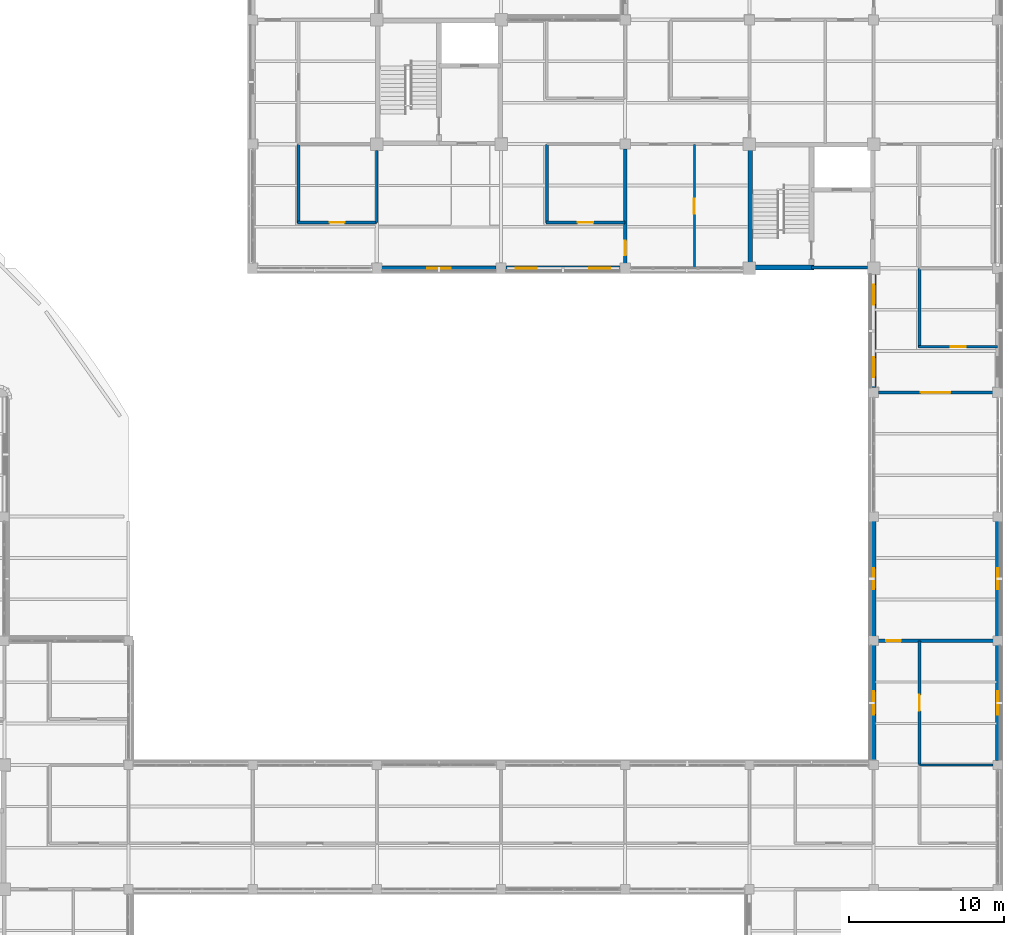
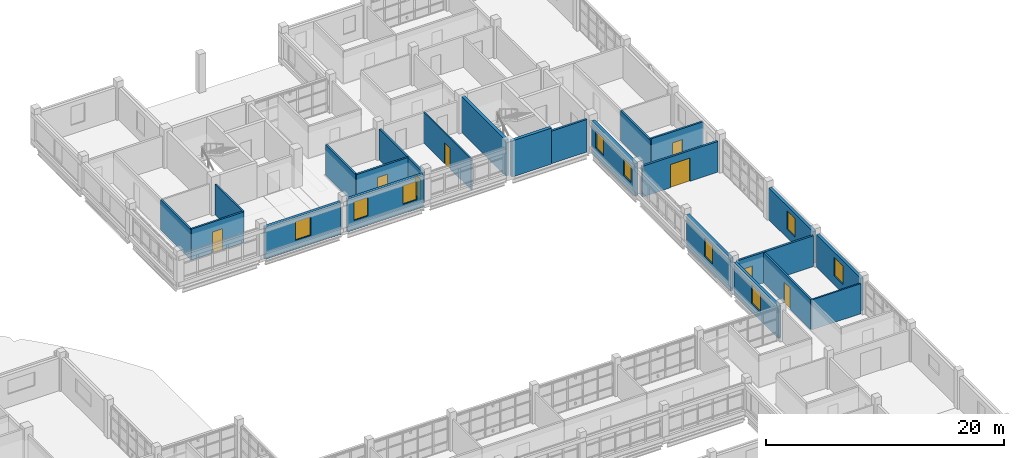
# One storey, part 102 of 126: 23 walls, 9 windows, 8 doors, 17 openings.
"""IFC4 building model written with IfcOpenShell, lengths in metres."""

from ifc_helpers import new_model, si_unit, derived_unit, direction, frame, frame_2d, origin, place, context, subcontext, project, spatial, rectangle, extrude, material, layer, layer_set, type_object, element, fill, save


model = new_model("IFC4")

# Units and contexts
model_context = context("Model", 3, precision=1e-05, world=origin(), true_north=direction((0.0, 1.0)))
body_context = subcontext(model_context, "Body", "Model", "MODEL_VIEW")
ifc_project = project(units=[si_unit("LENGTHUNIT", "METRE"), si_unit("AREAUNIT", "SQUARE_METRE"), si_unit("VOLUMEUNIT", "CUBIC_METRE"), si_unit("PLANEANGLEUNIT", "RADIAN"), si_unit("MASSUNIT", "GRAM", prefix="KILO"), derived_unit("THERMALTRANSMITTANCEUNIT", [(si_unit("MASSUNIT", "GRAM", prefix="KILO"), 1), (si_unit("TIMEUNIT", "SECOND"), -3), (si_unit("THERMODYNAMICTEMPERATUREUNIT", "KELVIN"), -1)])], contexts=[model_context])

# Site, building, storey
site_placement = place(None, origin())
site = spatial("IfcSite", under=ifc_project, at=site_placement, CompositionType="ELEMENT")
building_placement = place(site_placement, origin())
building = spatial("IfcBuilding", under=site, at=building_placement, Name="Veyamyaing Civic Hall", CompositionType="ELEMENT")
storey_placement = place(building_placement, frame((0.0, 0.0, 9.89990234375)))
storey = spatial("IfcBuildingStorey", under=building, at=storey_placement, Name="L02", CompositionType="ELEMENT", Elevation=9.89990234375)

# Wall, opening, window
ifc_material_1 = material(Name="Precast concrete C40/50", Category="concrete")
ifc_layer_1 = layer(ifc_material_1, 0.280029296875, Name="Precast concrete C40/50")
ifc_layer_set_1 = layer_set([ifc_layer_1], Name="Precast concrete C40/50")
wall_type_1 = type_object("IfcWallType", Name="WT-04", PredefinedType="SOLIDWALL", material=ifc_layer_set_1)
wall_1_placement = place(storey_placement, frame((136.31005859375, 88.0, 0.0), z_axis=(0.0, 0.0, 1.0), x_axis=(1.0, 0.0, 0.0)))
wall_1 = element("IfcWall", 1, at=wall_1_placement, inside=storey, type_object=wall_type_1, Name="Exterior facade wall WT-04 L02 S 18.12", PredefinedType="SOLIDWALL", context=body_context, shape_type="SweptSolid", body=[
    extrude(rectangle(XDim=7.3798828125, YDim=0.280029296875, at=frame_2d((3.68994140625, 0.0))), origin(), (0.0, 0.0, 1.0), 3.2841796875),
])
opening_1_placement = place(wall_1_placement, frame((2.93994140625, 0.0, 0.89990234375)))
opening_1 = element("IfcOpeningElement", 2, at=opening_1_placement, cuts=wall_1, Name="Opening W-12", PredefinedType="OPENING", context=body_context, shape_type="SweptSolid", body=[
    extrude(rectangle(XDim=1.5, YDim=1.89990234375, at=frame_2d((0.75, 0.949951171875))), frame((0.0, 0.14990234375, 0.0), z_axis=(0.0, -1.0, 0.0), x_axis=(1.0, 0.0, 0.0)), (0.0, 0.0, 1.0), 0.300048828125),
])
ifc_material_2 = material(Name="Low-E insulated glass", Category="glass")
window_type_1 = type_object("IfcWindowType", Name="W-12", PartitioningType="SINGLE_PANEL", PredefinedType="WINDOW", material=ifc_material_2)
window_1_placement = place(opening_1_placement, origin())
window_1 = element("IfcWindow", 3, at=window_1_placement, inside=storey, type_object=window_type_1, Name="Facade window W-12 L02 S 18.12", OverallHeight=1.89990234375, OverallWidth=1.5, PartitioningType="SINGLE_PANEL", PredefinedType="WINDOW", context=body_context, shape_type="SweptSolid", body=[
    extrude(rectangle(XDim=1.5, YDim=1.89990234375, at=frame_2d((0.75, 0.949951171875))), frame((0.0, 0.030029296875, 0.0), z_axis=(0.0, -1.0, 0.0), x_axis=(1.0, 0.0, 0.0)), (0.0, 0.0, 1.0), 0.06005859375),
])
fill(opening_1, window_1)

# Wall, openings, windows
wall_2_placement = place(storey_placement, frame((144.31005859375, 88.0, 0.0), z_axis=(0.0, 0.0, 1.0), x_axis=(1.0, 0.0, 0.0)))
wall_2 = element("IfcWall", 4, at=wall_2_placement, inside=storey, type_object=wall_type_1, Name="Exterior facade wall WT-04 L02 S 19.12", PredefinedType="SOLIDWALL", context=body_context, shape_type="SweptSolid", body=[
    extrude(rectangle(XDim=7.3798828125, YDim=0.280029296875, at=frame_2d((3.68994140625, 0.0))), origin(), (0.0, 0.0, 1.0), 3.34716796875),
])
opening_2_placement = place(wall_2_placement, frame((0.6533203125, 0.0, 0.949951171875)))
opening_2 = element("IfcOpeningElement", 5, at=opening_2_placement, cuts=wall_2, Name="Opening W-13", PredefinedType="OPENING", context=body_context, shape_type="SweptSolid", body=[
    extrude(rectangle(XDim=1.35009765625, YDim=1.89990234375, at=frame_2d((0.675048828125, 0.949951171875))), frame((0.0, 0.14990234375, 0.0), z_axis=(0.0, -1.0, 0.0), x_axis=(1.0, 0.0, 0.0)), (0.0, 0.0, 1.0), 0.300048828125),
])
opening_3_placement = place(wall_2_placement, frame((5.376708984375, 0.0, 0.949951171875)))
opening_3 = element("IfcOpeningElement", 6, at=opening_3_placement, cuts=wall_2, Name="Opening W-13", PredefinedType="OPENING", context=body_context, shape_type="SweptSolid", body=[
    extrude(rectangle(XDim=1.35009765625, YDim=1.89990234375, at=frame_2d((0.675048828125, 0.949951171875))), frame((0.0, 0.14990234375, 0.0), z_axis=(0.0, -1.0, 0.0), x_axis=(1.0, 0.0, 0.0)), (0.0, 0.0, 1.0), 0.300048828125),
])
window_type_2 = type_object("IfcWindowType", Name="W-13", PartitioningType="SINGLE_PANEL", PredefinedType="WINDOW", material=ifc_material_2)
window_2_placement = place(opening_2_placement, origin())
window_2 = element("IfcWindow", 7, at=window_2_placement, inside=storey, type_object=window_type_2, Name="Facade window W-13 L02 S 19.12.1", OverallHeight=1.89990234375, OverallWidth=1.35009765625, PartitioningType="SINGLE_PANEL", PredefinedType="WINDOW", context=body_context, shape_type="SweptSolid", body=[
    extrude(rectangle(XDim=1.35009765625, YDim=1.89990234375, at=frame_2d((0.675048828125, 0.949951171875))), frame((0.0, 0.030029296875, 0.0), z_axis=(0.0, -1.0, 0.0), x_axis=(1.0, 0.0, 0.0)), (0.0, 0.0, 1.0), 0.06005859375),
])
fill(opening_2, window_2)
window_3_placement = place(opening_3_placement, origin())
window_3 = element("IfcWindow", 8, at=window_3_placement, inside=storey, type_object=window_type_2, Name="Facade window W-13 L02 S 19.12.2", OverallHeight=1.89990234375, OverallWidth=1.35009765625, PartitioningType="SINGLE_PANEL", PredefinedType="WINDOW", context=body_context, shape_type="SweptSolid", body=[
    extrude(rectangle(XDim=1.35009765625, YDim=1.89990234375, at=frame_2d((0.675048828125, 0.949951171875))), frame((0.0, 0.030029296875, 0.0), z_axis=(0.0, -1.0, 0.0), x_axis=(1.0, 0.0, 0.0)), (0.0, 0.0, 1.0), 0.06005859375),
])
fill(opening_3, window_3)

# Wall, opening, window
wall_3_placement = place(storey_placement, frame((168.0, 56.284912109375, 0.0), z_axis=(0.0, 0.0, 1.0), x_axis=(0.0, 1.0, 0.0)))
wall_3 = element("IfcWall", 9, at=wall_3_placement, inside=storey, type_object=wall_type_1, Name="Exterior facade wall WT-04 L02 W 22.8", PredefinedType="SOLIDWALL", context=body_context, shape_type="SweptSolid", body=[
    extrude(rectangle(XDim=7.43017578125, YDim=0.280029296875, at=frame_2d((3.715087890625, 0.0))), origin(), (0.0, 0.0, 1.0), 3.2841796875),
])
opening_4_placement = place(wall_3_placement, frame((2.965087890625, 0.0, 0.89990234375)))
opening_4 = element("IfcOpeningElement", 10, at=opening_4_placement, cuts=wall_3, Name="Opening W-12", PredefinedType="OPENING", context=body_context, shape_type="SweptSolid", body=[
    extrude(rectangle(XDim=1.5, YDim=1.89990234375, at=frame_2d((0.75, 0.949951171875))), frame((0.0, 0.14990234375, 0.0), z_axis=(0.0, -1.0, 0.0), x_axis=(1.0, 0.0, 0.0)), (0.0, 0.0, 1.0), 0.300048828125),
])
window_4_placement = place(opening_4_placement, origin())
window_4 = element("IfcWindow", 11, at=window_4_placement, inside=storey, type_object=window_type_1, Name="Facade window W-12 L02 W 22.8", OverallHeight=1.89990234375, OverallWidth=1.5, PartitioningType="SINGLE_PANEL", PredefinedType="WINDOW", context=body_context, shape_type="SweptSolid", body=[
    extrude(rectangle(XDim=1.5, YDim=1.89990234375, at=frame_2d((0.75, 0.949951171875))), frame((0.0, 0.030029296875, 0.0), z_axis=(0.0, -1.0, 0.0), x_axis=(1.0, 0.0, 0.0)), (0.0, 0.0, 1.0), 0.06005859375),
])
fill(opening_4, window_4)

wall_4_placement = place(storey_placement, frame((176.0, 56.284912109375, 0.0), z_axis=(0.0, 0.0, 1.0), x_axis=(0.0, 1.0, 0.0)))
wall_4 = element("IfcWall", 12, at=wall_4_placement, inside=storey, type_object=wall_type_1, Name="Exterior facade wall WT-04 L02 E 22.8", PredefinedType="SOLIDWALL", context=body_context, shape_type="SweptSolid", body=[
    extrude(rectangle(XDim=7.43017578125, YDim=0.280029296875, at=frame_2d((3.715087890625, 0.0))), origin(), (0.0, 0.0, 1.0), 3.34716796875),
])
opening_5_placement = place(wall_4_placement, frame((2.965087890625, 0.0, 0.89990234375)))
opening_5 = element("IfcOpeningElement", 13, at=opening_5_placement, cuts=wall_4, Name="Opening W-12", PredefinedType="OPENING", context=body_context, shape_type="SweptSolid", body=[
    extrude(rectangle(XDim=1.5, YDim=1.89990234375, at=frame_2d((0.75, 0.949951171875))), frame((0.0, 0.14990234375, 0.0), z_axis=(0.0, -1.0, 0.0), x_axis=(1.0, 0.0, 0.0)), (0.0, 0.0, 1.0), 0.300048828125),
])
window_5_placement = place(opening_5_placement, origin())
window_5 = element("IfcWindow", 14, at=window_5_placement, inside=storey, type_object=window_type_1, Name="Facade window W-12 L02 E 22.8", OverallHeight=1.89990234375, OverallWidth=1.5, PartitioningType="SINGLE_PANEL", PredefinedType="WINDOW", context=body_context, shape_type="SweptSolid", body=[
    extrude(rectangle(XDim=1.5, YDim=1.89990234375, at=frame_2d((0.75, 0.949951171875))), frame((0.0, 0.030029296875, 0.0), z_axis=(0.0, -1.0, 0.0), x_axis=(1.0, 0.0, 0.0)), (0.0, 0.0, 1.0), 0.06005859375),
])
fill(opening_5, window_5)

wall_5_placement = place(storey_placement, frame((168.0, 64.284912109375, 0.0), z_axis=(0.0, 0.0, 1.0), x_axis=(0.0, 1.0, 0.0)))
wall_5 = element("IfcWall", 15, at=wall_5_placement, inside=storey, type_object=wall_type_1, Name="Exterior facade wall WT-04 L02 W 22.9", PredefinedType="SOLIDWALL", context=body_context, shape_type="SweptSolid", body=[
    extrude(rectangle(XDim=7.43017578125, YDim=0.280029296875, at=frame_2d((3.715087890625, 0.0))), origin(), (0.0, 0.0, 1.0), 3.34716796875),
])
opening_6_placement = place(wall_5_placement, frame((3.0400390625, 0.0, 0.89990234375)))
opening_6 = element("IfcOpeningElement", 16, at=opening_6_placement, cuts=wall_5, Name="Opening W-13", PredefinedType="OPENING", context=body_context, shape_type="SweptSolid", body=[
    extrude(rectangle(XDim=1.35009765625, YDim=1.89990234375, at=frame_2d((0.675048828125, 0.949951171875))), frame((0.0, 0.14990234375, 0.0), z_axis=(0.0, -1.0, 0.0), x_axis=(1.0, 0.0, 0.0)), (0.0, 0.0, 1.0), 0.300048828125),
])
window_6_placement = place(opening_6_placement, origin())
window_6 = element("IfcWindow", 17, at=window_6_placement, inside=storey, type_object=window_type_2, Name="Facade window W-13 L02 W 22.9", OverallHeight=1.89990234375, OverallWidth=1.35009765625, PartitioningType="SINGLE_PANEL", PredefinedType="WINDOW", context=body_context, shape_type="SweptSolid", body=[
    extrude(rectangle(XDim=1.35009765625, YDim=1.89990234375, at=frame_2d((0.675048828125, 0.949951171875))), frame((0.0, 0.030029296875, 0.0), z_axis=(0.0, -1.0, 0.0), x_axis=(1.0, 0.0, 0.0)), (0.0, 0.0, 1.0), 0.06005859375),
])
fill(opening_6, window_6)

wall_6_placement = place(storey_placement, frame((176.0, 64.284912109375, 0.0), z_axis=(0.0, 0.0, 1.0), x_axis=(0.0, 1.0, 0.0)))
wall_6 = element("IfcWall", 18, at=wall_6_placement, inside=storey, type_object=wall_type_1, Name="Exterior facade wall WT-04 L02 E 22.9", PredefinedType="SOLIDWALL", context=body_context, shape_type="SweptSolid", body=[
    extrude(rectangle(XDim=7.43017578125, YDim=0.280029296875, at=frame_2d((3.715087890625, 0.0))), origin(), (0.0, 0.0, 1.0), 3.280029296875),
])
opening_7_placement = place(wall_6_placement, frame((3.0400390625, 0.0, 0.89990234375)))
opening_7 = element("IfcOpeningElement", 19, at=opening_7_placement, cuts=wall_6, Name="Opening W-13", PredefinedType="OPENING", context=body_context, shape_type="SweptSolid", body=[
    extrude(rectangle(XDim=1.35009765625, YDim=1.89990234375, at=frame_2d((0.675048828125, 0.949951171875))), frame((0.0, 0.14990234375, 0.0), z_axis=(0.0, -1.0, 0.0), x_axis=(1.0, 0.0, 0.0)), (0.0, 0.0, 1.0), 0.300048828125),
])
window_7_placement = place(opening_7_placement, origin())
window_7 = element("IfcWindow", 20, at=window_7_placement, inside=storey, type_object=window_type_2, Name="Facade window W-13 L02 E 22.9", OverallHeight=1.89990234375, OverallWidth=1.35009765625, PartitioningType="SINGLE_PANEL", PredefinedType="WINDOW", context=body_context, shape_type="SweptSolid", body=[
    extrude(rectangle(XDim=1.35009765625, YDim=1.89990234375, at=frame_2d((0.675048828125, 0.949951171875))), frame((0.0, 0.030029296875, 0.0), z_axis=(0.0, -1.0, 0.0), x_axis=(1.0, 0.0, 0.0)), (0.0, 0.0, 1.0), 0.06005859375),
])
fill(opening_7, window_7)

# Wall, openings, windows
wall_7_placement = place(storey_placement, frame((168.0, 80.31005859375, 0.0), z_axis=(0.0, 0.0, 1.0), x_axis=(0.0, 1.0, 0.0)))
wall_7 = element("IfcWall", 21, at=wall_7_placement, inside=storey, type_object=wall_type_1, Name="Exterior facade wall WT-04 L02 W 22.11", PredefinedType="SOLIDWALL", context=body_context, shape_type="SweptSolid", body=[
    extrude(rectangle(XDim=7.304931640625, YDim=0.280029296875, at=frame_2d((3.65234375, 0.0))), origin(), (0.0, 0.0, 1.0), 3.343994140625),
])
opening_8_placement = place(wall_7_placement, frame((0.6748046875, 0.0, 0.949951171875)))
opening_8 = element("IfcOpeningElement", 22, at=opening_8_placement, cuts=wall_7, Name="Opening W-31", PredefinedType="OPENING", context=body_context, shape_type="SweptSolid", body=[
    extrude(rectangle(XDim=1.280029296875, YDim=1.719970703125, at=frame_2d((0.64013671875, 0.85986328125))), frame((0.0, 0.14990234375, 0.0), z_axis=(0.0, -1.0, 0.0), x_axis=(1.0, 0.0, 0.0)), (0.0, 0.0, 1.0), 0.300048828125),
])
opening_9_placement = place(wall_7_placement, frame((5.35009765625, 0.0, 0.949951171875)))
opening_9 = element("IfcOpeningElement", 23, at=opening_9_placement, cuts=wall_7, Name="Opening W-31", PredefinedType="OPENING", context=body_context, shape_type="SweptSolid", body=[
    extrude(rectangle(XDim=1.280029296875, YDim=1.719970703125, at=frame_2d((0.64013671875, 0.85986328125))), frame((0.0, 0.14990234375, 0.0), z_axis=(0.0, -1.0, 0.0), x_axis=(1.0, 0.0, 0.0)), (0.0, 0.0, 1.0), 0.300048828125),
])
window_type_3 = type_object("IfcWindowType", Name="W-31", PartitioningType="SINGLE_PANEL", PredefinedType="WINDOW", material=ifc_material_2)
window_8_placement = place(opening_8_placement, origin())
window_8 = element("IfcWindow", 24, at=window_8_placement, inside=storey, type_object=window_type_3, Name="Facade window W-31 L02 W 22.11.1", OverallHeight=1.719970703125, OverallWidth=1.280029296875, PartitioningType="SINGLE_PANEL", PredefinedType="WINDOW", context=body_context, shape_type="SweptSolid", body=[
    extrude(rectangle(XDim=1.280029296875, YDim=1.719970703125, at=frame_2d((0.64013671875, 0.85986328125))), frame((0.0, 0.030029296875, 0.0), z_axis=(0.0, -1.0, 0.0), x_axis=(1.0, 0.0, 0.0)), (0.0, 0.0, 1.0), 0.06005859375),
])
fill(opening_8, window_8)
window_9_placement = place(opening_9_placement, origin())
window_9 = element("IfcWindow", 25, at=window_9_placement, inside=storey, type_object=window_type_3, Name="Facade window W-31 L02 W 22.11.2", OverallHeight=1.719970703125, OverallWidth=1.280029296875, PartitioningType="SINGLE_PANEL", PredefinedType="WINDOW", context=body_context, shape_type="SweptSolid", body=[
    extrude(rectangle(XDim=1.280029296875, YDim=1.719970703125, at=frame_2d((0.64013671875, 0.85986328125))), frame((0.0, 0.030029296875, 0.0), z_axis=(0.0, -1.0, 0.0), x_axis=(1.0, 0.0, 0.0)), (0.0, 0.0, 1.0), 0.06005859375),
])
fill(opening_9, window_9)

# Walls
ifc_material_3 = material(Name="Concrete C40/50", Category="concrete")
ifc_layer_2 = layer(ifc_material_3, 0.300048828125, Name="Concrete C40/50")
ifc_layer_set_2 = layer_set([ifc_layer_2], Name="Concrete C40/50")
wall_type_2 = type_object("IfcWallType", Name="WT-05", PredefinedType="SHEAR", material=ifc_layer_set_2)
wall_8_placement = place(storey_placement, frame((160.050048828125, 88.2900390625, 0.0), z_axis=(0.0, 0.0, 1.0), x_axis=(0.0, 1.0, 0.0)))
element("IfcWall", 26, at=wall_8_placement, inside=storey, type_object=wall_type_2, Name="Core shear wall WT-05 CORE-3 L02.W", PredefinedType="SHEAR", context=body_context, shape_type="SweptSolid", body=[
    extrude(rectangle(XDim=7.419921875, YDim=0.300048828125, at=frame_2d((3.7099609375, 0.0))), origin(), (0.0, 0.0, 1.0), 3.705078125),
])
wall_9_placement = place(storey_placement, frame((160.2900390625, 88.050048828125, 0.0), z_axis=(0.0, 0.0, 1.0), x_axis=(1.0, 0.0, 0.0)))
element("IfcWall", 27, at=wall_9_placement, inside=storey, type_object=wall_type_2, Name="Core shear wall WT-05 CORE-3 L02.SS", PredefinedType="SHEAR", context=body_context, shape_type="SweptSolid", body=[
    extrude(rectangle(XDim=3.85986328125, YDim=0.300048828125, at=frame_2d((1.929931640625, 0.0))), origin(), (0.0, 0.0, 1.0), 3.705078125),
])
ifc_layer_3 = layer(ifc_material_3, 0.199951171875, Name="Concrete C40/50")
ifc_layer_set_3 = layer_set([ifc_layer_3], Name="Concrete C40/50")
wall_type_3 = type_object("IfcWallType", Name="WT-06", PredefinedType="PARTITIONING", material=ifc_layer_set_3)
wall_10_placement = place(storey_placement, frame((164.0, 88.050048828125, 0.0), z_axis=(0.0, 0.0, 1.0), x_axis=(1.0, 0.0, 0.0)))
element("IfcWall", 28, at=wall_10_placement, inside=storey, type_object=wall_type_3, Name="Firefighting lift lobby wall WT-06 CORE-3 L02", PredefinedType="PARTITIONING", context=body_context, shape_type="SweptSolid", body=[
    extrude(rectangle(XDim=3.610107421875, YDim=0.199951171875, at=frame_2d((1.80517578125, 0.0))), origin(), (0.0, 0.0, 1.0), 3.337158203125),
])

# Wall, opening, door
wall_11_placement = place(storey_placement, frame((152.0, 88.31494140625, 0.0), z_axis=(0.0, 0.0, 1.0), x_axis=(0.0, 1.0, 0.0)))
wall_11 = element("IfcWall", 29, at=wall_11_placement, inside=storey, type_object=wall_type_3, Name="Interior partition wall WT-06 L02.51", PredefinedType="PARTITIONING", context=body_context, shape_type="SweptSolid", body=[
    extrude(rectangle(XDim=7.3701171875, YDim=0.199951171875, at=frame_2d((3.68505859375, 0.0))), origin(), (0.0, 0.0, 1.0), 3.151123046875),
])
opening_10_placement = place(wall_11_placement, frame((0.52001953125, 0.0, 0.0)))
opening_10 = element("IfcOpeningElement", 30, at=opening_10_placement, cuts=wall_11, Name="Opening D-30", PredefinedType="OPENING", context=body_context, shape_type="SweptSolid", body=[
    extrude(rectangle(XDim=0.93994140625, YDim=2.1201171875, at=frame_2d((0.469970703125, 1.06005859375))), frame((0.0, 0.10986328125, 0.0), z_axis=(0.0, -1.0, 0.0), x_axis=(1.0, 0.0, 0.0)), (0.0, 0.0, 1.0), 0.219970703125),
])
ifc_material_4 = material(Name="Teak-veneered acoustic timber", Category="wood")
door_type_1 = type_object("IfcDoorType", Name="D-30", OperationType="NOTDEFINED", PredefinedType="DOOR", material=ifc_material_4)
door_1_placement = place(opening_10_placement, frame((0.93994140625, 0.0, 0.0), z_axis=(0.0, 0.0, 1.0), x_axis=(-1.0, 0.0, 0.0)))
door_1 = element("IfcDoor", 31, at=door_1_placement, inside=storey, type_object=door_type_1, Name="Interior door D-30 L02.51", OperationType="SINGLE_SWING_LEFT", OverallHeight=2.1201171875, OverallWidth=0.93994140625, PredefinedType="DOOR", context=body_context, shape_type="SweptSolid", body=[
    extrude(rectangle(XDim=0.93994140625, YDim=2.1201171875, at=frame_2d((0.469970703125, 1.06005859375))), frame((0.0, 0.02490234375, 0.0), z_axis=(0.0, -1.0, 0.0), x_axis=(1.0, 0.0, 0.0)), (0.0, 0.0, 1.0), 0.050048828125),
])
fill(opening_10, door_1)

wall_12_placement = place(storey_placement, frame((168.2900390625, 64.0, 0.0), z_axis=(0.0, 0.0, 1.0), x_axis=(1.0, 0.0, 0.0)))
wall_12 = element("IfcWall", 32, at=wall_12_placement, inside=storey, type_object=wall_type_3, Name="Interior partition wall WT-06 L02.70", PredefinedType="PARTITIONING", context=body_context, shape_type="SweptSolid", body=[
    extrude(rectangle(XDim=7.419921875, YDim=0.199951171875, at=frame_2d((3.7099609375, 0.0))), origin(), (0.0, 0.0, 1.0), 3.156982421875),
])
opening_11_placement = place(wall_12_placement, frame((0.52001953125, 0.0, 0.0)))
opening_11 = element("IfcOpeningElement", 33, at=opening_11_placement, cuts=wall_12, Name="Opening D-30", PredefinedType="OPENING", context=body_context, shape_type="SweptSolid", body=[
    extrude(rectangle(XDim=0.93994140625, YDim=2.1201171875, at=frame_2d((0.469970703125, 1.06005859375))), frame((0.0, 0.10986328125, 0.0), z_axis=(0.0, -1.0, 0.0), x_axis=(1.0, 0.0, 0.0)), (0.0, 0.0, 1.0), 0.219970703125),
])
door_2_placement = place(opening_11_placement, origin())
door_2 = element("IfcDoor", 34, at=door_2_placement, inside=storey, type_object=door_type_1, Name="Interior door D-30 L02.70", OperationType="SINGLE_SWING_LEFT", OverallHeight=2.1201171875, OverallWidth=0.93994140625, PredefinedType="DOOR", context=body_context, shape_type="SweptSolid", body=[
    extrude(rectangle(XDim=0.93994140625, YDim=2.1201171875, at=frame_2d((0.469970703125, 1.06005859375))), frame((0.0, 0.02490234375, 0.0), z_axis=(0.0, -1.0, 0.0), x_axis=(1.0, 0.0, 0.0)), (0.0, 0.0, 1.0), 0.050048828125),
])
fill(opening_11, door_2)

wall_13_placement = place(storey_placement, frame((168.31494140625, 80.0, 0.0), z_axis=(0.0, 0.0, 1.0), x_axis=(1.0, 0.0, 0.0)))
wall_13 = element("IfcWall", 35, at=wall_13_placement, inside=storey, type_object=wall_type_3, Name="Interior partition wall WT-06 L02.71", PredefinedType="PARTITIONING", context=body_context, shape_type="SweptSolid", body=[
    extrude(rectangle(XDim=7.3701171875, YDim=0.199951171875, at=frame_2d((3.68505859375, 0.0))), origin(), (0.0, 0.0, 1.0), 3.151123046875),
])
opening_12_placement = place(wall_13_placement, frame((2.735107421875, 0.0, 0.0)))
opening_12 = element("IfcOpeningElement", 36, at=opening_12_placement, cuts=wall_13, Name="Opening D-31", PredefinedType="OPENING", context=body_context, shape_type="SweptSolid", body=[
    extrude(rectangle(XDim=1.89990234375, YDim=2.3798828125, at=frame_2d((0.949951171875, 1.18994140625))), frame((0.0, 0.10986328125, 0.0), z_axis=(0.0, -1.0, 0.0), x_axis=(1.0, 0.0, 0.0)), (0.0, 0.0, 1.0), 0.219970703125),
])
door_type_2 = type_object("IfcDoorType", Name="D-31", OperationType="DOUBLE_DOOR_SINGLE_SWING", PredefinedType="DOOR", material=ifc_material_4)
door_3_placement = place(opening_12_placement, frame((1.89990234375, 0.0, 0.0), z_axis=(0.0, 0.0, 1.0), x_axis=(-1.0, 0.0, 0.0)))
door_3 = element("IfcDoor", 37, at=door_3_placement, inside=storey, type_object=door_type_2, Name="Interior door D-31 L02.71", OperationType="DOUBLE_DOOR_SINGLE_SWING", OverallHeight=2.3798828125, OverallWidth=1.89990234375, PredefinedType="DOOR", context=body_context, shape_type="SweptSolid", body=[
    extrude(rectangle(XDim=1.89990234375, YDim=2.3798828125, at=frame_2d((0.949951171875, 1.18994140625))), frame((0.0, 0.02490234375, 0.0), z_axis=(0.0, -1.0, 0.0), x_axis=(1.0, 0.0, 0.0)), (0.0, 0.0, 1.0), 0.050048828125),
])
fill(opening_12, door_3)

ifc_material_5 = material(Name="Gypsum board on acoustic steel stud", Category="steel")
ifc_layer_4 = layer(ifc_material_5, 0.175048828125, Name="Gypsum board on acoustic steel stud")
ifc_layer_set_4 = layer_set([ifc_layer_4], Name="Gypsum board on acoustic steel stud")
wall_type_4 = type_object("IfcWallType", Name="WT-07", PredefinedType="PARTITIONING", material=ifc_layer_set_4)
wall_14_placement = place(storey_placement, frame((130.89990234375, 90.949951171875, 0.0), z_axis=(0.0, 0.0, 1.0), x_axis=(1.0, 0.0, 0.0)))
wall_14 = element("IfcWall", 38, at=wall_14_placement, inside=storey, type_object=wall_type_4, Name="Corridor gallery partition WT-07 L02.49.1", PredefinedType="PARTITIONING", context=body_context, shape_type="SweptSolid", body=[
    extrude(rectangle(XDim=5.080078125, YDim=0.175048828125, at=frame_2d((2.5400390625, 0.0))), origin(), (0.0, 0.0, 1.0), 3.156982421875),
])
opening_13_placement = place(wall_14_placement, frame((2.050048828125, 0.0, 0.0)))
opening_13 = element("IfcOpeningElement", 39, at=opening_13_placement, cuts=wall_14, Name="Opening D-14", PredefinedType="OPENING", context=body_context, shape_type="SweptSolid", body=[
    extrude(rectangle(XDim=0.97998046875, YDim=2.14990234375, at=frame_2d((0.489990234375, 1.074951171875))), frame((0.0, 0.097412109375, 0.0), z_axis=(0.0, -1.0, 0.0), x_axis=(1.0, 0.0, 0.0)), (0.0, 0.0, 1.0), 0.195068359375),
])
door_type_3 = type_object("IfcDoorType", Name="D-14", OperationType="NOTDEFINED", PredefinedType="DOOR", material=ifc_material_4)
door_4_placement = place(opening_13_placement, origin())
door_4 = element("IfcDoor", 40, at=door_4_placement, inside=storey, type_object=door_type_3, Name="Gallery office door D-14 L02.49", OperationType="SINGLE_SWING_LEFT", OverallHeight=2.14990234375, OverallWidth=0.97998046875, PredefinedType="DOOR", context=body_context, shape_type="SweptSolid", body=[
    extrude(rectangle(XDim=0.97998046875, YDim=2.14990234375, at=frame_2d((0.489990234375, 1.074951171875))), frame((0.0, 0.02490234375, 0.0), z_axis=(0.0, -1.0, 0.0), x_axis=(1.0, 0.0, 0.0)), (0.0, 0.0, 1.0), 0.050048828125),
])
fill(opening_13, door_4)

# Wall
wall_15_placement = place(storey_placement, frame((130.949951171875, 90.89990234375, 0.0), z_axis=(0.0, 0.0, 1.0), x_axis=(0.0, 1.0, 0.0)))
element("IfcWall", 41, at=wall_15_placement, inside=storey, type_object=wall_type_4, Name="Corridor gallery partition WT-07 L02.49.2", PredefinedType="PARTITIONING", context=body_context, shape_type="SweptSolid", body=[
    extrude(rectangle(XDim=5.080078125, YDim=0.175048828125, at=frame_2d((2.5400390625, 0.0))), origin(), (0.0, 0.0, 1.0), 3.08203125),
])

# Wall, opening, door
wall_16_placement = place(storey_placement, frame((170.89990234375, 82.949951171875, 0.0), z_axis=(0.0, 0.0, 1.0), x_axis=(1.0, 0.0, 0.0)))
wall_16 = element("IfcWall", 42, at=wall_16_placement, inside=storey, type_object=wall_type_4, Name="Corridor gallery partition WT-07 L02.73.1", PredefinedType="PARTITIONING", context=body_context, shape_type="SweptSolid", body=[
    extrude(rectangle(XDim=5.080078125, YDim=0.175048828125, at=frame_2d((2.5400390625, 0.0))), origin(), (0.0, 0.0, 1.0), 3.277099609375),
])
opening_14_placement = place(wall_16_placement, frame((2.06005859375, 0.0, 0.0)))
opening_14 = element("IfcOpeningElement", 43, at=opening_14_placement, cuts=wall_16, Name="Opening D-25", PredefinedType="OPENING", context=body_context, shape_type="SweptSolid", body=[
    extrude(rectangle(XDim=0.9599609375, YDim=2.139892578125, at=frame_2d((0.47998046875, 1.06982421875))), frame((0.0, 0.097412109375, 0.0), z_axis=(0.0, -1.0, 0.0), x_axis=(1.0, 0.0, 0.0)), (0.0, 0.0, 1.0), 0.195068359375),
])
door_type_4 = type_object("IfcDoorType", Name="D-25", OperationType="NOTDEFINED", PredefinedType="DOOR", material=ifc_material_4)
door_5_placement = place(opening_14_placement, origin())
door_5 = element("IfcDoor", 44, at=door_5_placement, inside=storey, type_object=door_type_4, Name="Gallery office door D-25 L02.73", OperationType="SINGLE_SWING_LEFT", OverallHeight=2.139892578125, OverallWidth=0.9599609375, PredefinedType="DOOR", context=body_context, shape_type="SweptSolid", body=[
    extrude(rectangle(XDim=0.9599609375, YDim=2.139892578125, at=frame_2d((0.47998046875, 1.06982421875))), frame((0.0, 0.02490234375, 0.0), z_axis=(0.0, -1.0, 0.0), x_axis=(1.0, 0.0, 0.0)), (0.0, 0.0, 1.0), 0.050048828125),
])
fill(opening_14, door_5)

# Walls
wall_17_placement = place(storey_placement, frame((170.949951171875, 82.89990234375, 0.0), z_axis=(0.0, 0.0, 1.0), x_axis=(0.0, 1.0, 0.0)))
element("IfcWall", 45, at=wall_17_placement, inside=storey, type_object=wall_type_4, Name="Corridor gallery partition WT-07 L02.73.2", PredefinedType="PARTITIONING", context=body_context, shape_type="SweptSolid", body=[
    extrude(rectangle(XDim=5.080078125, YDim=0.175048828125, at=frame_2d((2.5400390625, 0.0))), origin(), (0.0, 0.0, 1.0), 3.08203125),
])
ifc_material_6 = material(Name="Gypsum board on steel stud", Category="steel")
ifc_layer_5 = layer(ifc_material_6, 0.14990234375, Name="Gypsum board on steel stud")
ifc_layer_set_5 = layer_set([ifc_layer_5], Name="Gypsum board on steel stud")
wall_type_5 = type_object("IfcWallType", Name="WT-08", PredefinedType="PARTITIONING", material=ifc_layer_set_5)
wall_18_placement = place(storey_placement, frame((136.0, 90.949951171875, 0.0), z_axis=(0.0, 0.0, 1.0), x_axis=(0.0, 1.0, 0.0)))
element("IfcWall", 46, at=wall_18_placement, inside=storey, type_object=wall_type_5, Name="Gallery office end partition WT-08 L02.49.2", PredefinedType="PARTITIONING", context=body_context, shape_type="SweptSolid", body=[
    extrude(rectangle(XDim=4.64013671875, YDim=0.14990234375, at=frame_2d((2.320068359375, 0.0))), origin(), (0.0, 0.0, 1.0), 3.156982421875),
])
wall_19_placement = place(storey_placement, frame((170.949951171875, 56.0, 0.0), z_axis=(0.0, 0.0, 1.0), x_axis=(1.0, 0.0, 0.0)))
element("IfcWall", 47, at=wall_19_placement, inside=storey, type_object=wall_type_5, Name="Gallery office end partition WT-08 L02.71.1", PredefinedType="PARTITIONING", context=body_context, shape_type="SweptSolid", body=[
    extrude(rectangle(XDim=4.739990234375, YDim=0.14990234375, at=frame_2d((2.3701171875, 0.0))), origin(), (0.0, 0.0, 1.0), 3.08203125),
])

# Wall, opening, door
ifc_layer_6 = layer(ifc_material_6, 0.135009765625, Name="Gypsum board on steel stud")
ifc_layer_set_6 = layer_set([ifc_layer_6], Name="Gypsum board on steel stud")
wall_type_6 = type_object("IfcWallType", Name="WT-15", PredefinedType="PARTITIONING", material=ifc_layer_set_6)
wall_20_placement = place(storey_placement, frame((156.449951171875, 88.02001953125, 0.0), z_axis=(0.0, 0.0, 1.0), x_axis=(0.0, 1.0, 0.0)))
wall_20 = element("IfcWall", 48, at=wall_20_placement, inside=storey, type_object=wall_type_6, Name="Sub-bay room partition WT-15 L02.3", PredefinedType="PARTITIONING", context=body_context, shape_type="SweptSolid", body=[
    extrude(rectangle(XDim=7.9599609375, YDim=0.135009765625, at=frame_2d((3.97998046875, 0.0))), origin(), (0.0, 0.0, 1.0), 3.151123046875),
])
opening_15_placement = place(wall_20_placement, frame((3.489990234375, 0.0, 0.0)))
opening_15 = element("IfcOpeningElement", 49, at=opening_15_placement, cuts=wall_20, Name="Opening D-14", PredefinedType="OPENING", context=body_context, shape_type="SweptSolid", body=[
    extrude(rectangle(XDim=0.97998046875, YDim=2.14990234375, at=frame_2d((0.489990234375, 1.074951171875))), frame((0.0, 0.077392578125, 0.0), z_axis=(0.0, -1.0, 0.0), x_axis=(1.0, 0.0, 0.0)), (0.0, 0.0, 1.0), 0.155029296875),
])
door_6_placement = place(opening_15_placement, origin())
door_6 = element("IfcDoor", 50, at=door_6_placement, inside=storey, type_object=door_type_3, Name="Suite connecting door D-14 L02.3", OperationType="SINGLE_SWING_RIGHT", OverallHeight=2.14990234375, OverallWidth=0.97998046875, PredefinedType="DOOR", context=body_context, shape_type="SweptSolid", body=[
    extrude(rectangle(XDim=0.97998046875, YDim=2.14990234375, at=frame_2d((0.489990234375, 1.074951171875))), frame((0.0, 0.02490234375, 0.0), z_axis=(0.0, -1.0, 0.0), x_axis=(1.0, 0.0, 0.0)), (0.0, 0.0, 1.0), 0.050048828125),
])
fill(opening_15, door_6)

ifc_material_7 = material(Name="Gypsum board on double acoustic stud")
ifc_layer_7 = layer(ifc_material_7, 0.18505859375, Name="Gypsum board on double acoustic stud")
ifc_layer_set_7 = layer_set([ifc_layer_7], Name="Gypsum board on double acoustic stud")
wall_type_7 = type_object("IfcWallType", Name="WT-19", PredefinedType="PARTITIONING", material=ifc_layer_set_7)
wall_21_placement = place(storey_placement, frame((146.89990234375, 90.949951171875, 0.0), z_axis=(0.0, 0.0, 1.0), x_axis=(1.0, 0.0, 0.0)))
wall_21 = element("IfcWall", 51, at=wall_21_placement, inside=storey, type_object=wall_type_7, Name="Corridor gallery partition WT-19 L02.58.1", PredefinedType="PARTITIONING", context=body_context, shape_type="SweptSolid", body=[
    extrude(rectangle(XDim=5.080078125, YDim=0.18505859375, at=frame_2d((2.5400390625, 0.0))), origin(), (0.0, 0.0, 1.0), 3.151123046875),
])
opening_16_placement = place(wall_21_placement, frame((2.0400390625, 0.0, 0.0)))
opening_16 = element("IfcOpeningElement", 52, at=opening_16_placement, cuts=wall_21, Name="Opening D-13", PredefinedType="OPENING", context=body_context, shape_type="SweptSolid", body=[
    extrude(rectangle(XDim=1.0, YDim=2.14990234375, at=frame_2d((0.5, 1.074951171875))), frame((0.0, 0.1025390625, 0.0), z_axis=(0.0, -1.0, 0.0), x_axis=(1.0, 0.0, 0.0)), (0.0, 0.0, 1.0), 0.205078125),
])
door_type_5 = type_object("IfcDoorType", Name="D-13", OperationType="NOTDEFINED", PredefinedType="DOOR", material=ifc_material_4)
door_7_placement = place(opening_16_placement, origin())
door_7 = element("IfcDoor", 53, at=door_7_placement, inside=storey, type_object=door_type_5, Name="Gallery office door D-13 L02.58", OperationType="SINGLE_SWING_RIGHT", OverallHeight=2.14990234375, OverallWidth=1.0, PredefinedType="DOOR", context=body_context, shape_type="SweptSolid", body=[
    extrude(rectangle(XDim=1.0, YDim=2.14990234375, at=frame_2d((0.5, 1.074951171875))), frame((0.0, 0.02490234375, 0.0), z_axis=(0.0, -1.0, 0.0), x_axis=(1.0, 0.0, 0.0)), (0.0, 0.0, 1.0), 0.050048828125),
])
fill(opening_16, door_7)

# Wall
wall_22_placement = place(storey_placement, frame((146.949951171875, 90.89990234375, 0.0), z_axis=(0.0, 0.0, 1.0), x_axis=(0.0, 1.0, 0.0)))
element("IfcWall", 54, at=wall_22_placement, inside=storey, type_object=wall_type_7, Name="Corridor gallery partition WT-19 L02.58.2", PredefinedType="PARTITIONING", context=body_context, shape_type="SweptSolid", body=[
    extrude(rectangle(XDim=5.080078125, YDim=0.18505859375, at=frame_2d((2.5400390625, 0.0))), origin(), (0.0, 0.0, 1.0), 3.14111328125),
])

# Wall, opening, door
wall_23_placement = place(storey_placement, frame((170.949951171875, 56.02001953125, 0.0), z_axis=(0.0, 0.0, 1.0), x_axis=(0.0, 1.0, 0.0)))
wall_23 = element("IfcWall", 55, at=wall_23_placement, inside=storey, type_object=wall_type_7, Name="Corridor gallery partition WT-19 L02.72.1", PredefinedType="PARTITIONING", context=body_context, shape_type="SweptSolid", body=[
    extrude(rectangle(XDim=7.9599609375, YDim=0.18505859375, at=frame_2d((3.97998046875, 0.0))), origin(), (0.0, 0.0, 1.0), 3.08203125),
])
opening_17_placement = place(wall_23_placement, frame((3.4599609375, 0.0, 0.0)))
opening_17 = element("IfcOpeningElement", 56, at=opening_17_placement, cuts=wall_23, Name="Opening D-24", PredefinedType="OPENING", context=body_context, shape_type="SweptSolid", body=[
    extrude(rectangle(XDim=1.0400390625, YDim=2.179931640625, at=frame_2d((0.52001953125, 1.08984375))), frame((0.0, 0.1025390625, 0.0), z_axis=(0.0, -1.0, 0.0), x_axis=(1.0, 0.0, 0.0)), (0.0, 0.0, 1.0), 0.205078125),
])
door_type_6 = type_object("IfcDoorType", Name="D-24", OperationType="NOTDEFINED", PredefinedType="DOOR", material=ifc_material_4)
door_8_placement = place(opening_17_placement, frame((1.0400390625, 0.0, 0.0), z_axis=(0.0, 0.0, 1.0), x_axis=(-1.0, 0.0, 0.0)))
door_8 = element("IfcDoor", 57, at=door_8_placement, inside=storey, type_object=door_type_6, Name="Gallery office door D-24 L02.72", OperationType="SINGLE_SWING_RIGHT", OverallHeight=2.179931640625, OverallWidth=1.0400390625, PredefinedType="DOOR", context=body_context, shape_type="SweptSolid", body=[
    extrude(rectangle(XDim=1.0400390625, YDim=2.179931640625, at=frame_2d((0.52001953125, 1.08984375))), frame((0.0, 0.02490234375, 0.0), z_axis=(0.0, -1.0, 0.0), x_axis=(1.0, 0.0, 0.0)), (0.0, 0.0, 1.0), 0.050048828125),
])
fill(opening_17, door_8)

save(model, "model.ifc")
